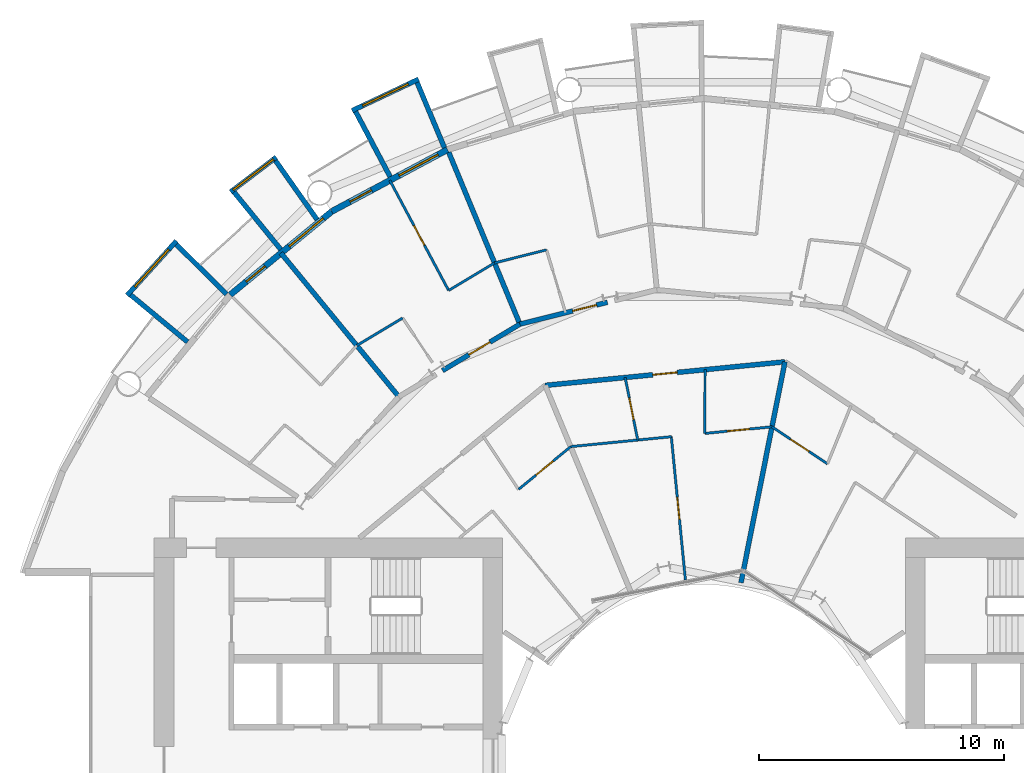
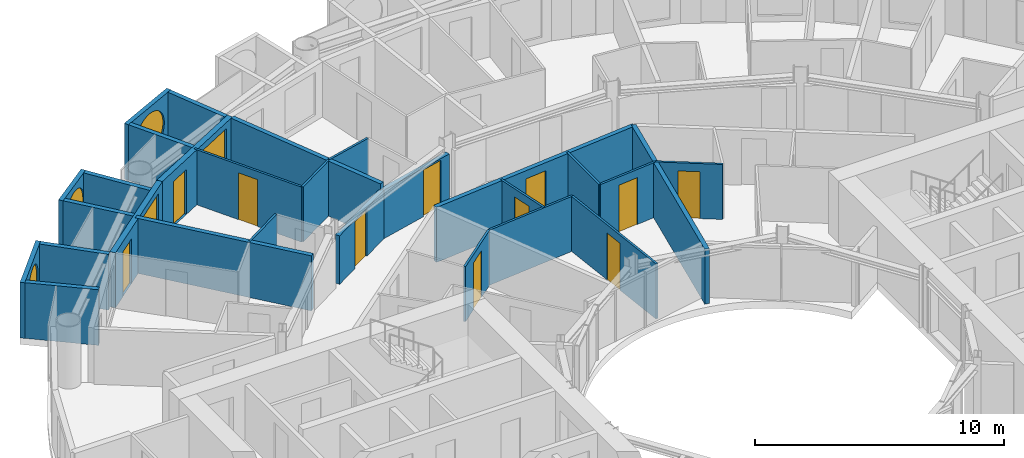
# One storey, part 19 of 26: 28 walls, 11 doors, 5 windows, 16 openings.
"""IFC4 building model written with IfcOpenShell, lengths in metres."""

from ifc_helpers import new_model, si_unit, direction, frame, frame_2d, origin, place, context, subcontext, project, spatial, rectangle, circle, extrude, material, layer, layer_set, type_object, element, fill, save


model = new_model("IFC4")

# Units and contexts
model_context = context("Model", 3, precision=1e-05, world=origin(), true_north=direction((0.0, 1.0)))
body_context = subcontext(model_context, "Body", "Model", "MODEL_VIEW")
ifc_project = project(units=[si_unit("LENGTHUNIT", "METRE"), si_unit("AREAUNIT", "SQUARE_METRE"), si_unit("VOLUMEUNIT", "CUBIC_METRE"), si_unit("PLANEANGLEUNIT", "RADIAN"), si_unit("MASSUNIT", "GRAM", prefix="KILO")], contexts=[model_context])

# Site, building, storey
site_placement = place(None, origin())
site = spatial("IfcSite", under=ifc_project, at=site_placement, CompositionType="ELEMENT")
building_placement = place(site_placement, origin())
building = spatial("IfcBuilding", under=site, at=building_placement, Name="Maasbend Ring Residences", CompositionType="ELEMENT")
storey_placement = place(building_placement, frame((0.0, 0.0, 22.800048828125)))
storey = spatial("IfcBuildingStorey", under=building, at=storey_placement, Name="L05", CompositionType="ELEMENT", Elevation=22.800048828125)

# Wall, opening, door
ifc_material_1 = material(Name="Concrete C30/37", Category="concrete")
ifc_layer_1 = layer(ifc_material_1, 0.199951171875)
ifc_layer_set_1 = layer_set([ifc_layer_1], Name="Concrete C30/37")
wall_type_1 = type_object("IfcWallType", Name="CORRIDOR WALL 200 CONCRETE", PredefinedType="PARTITIONING", material=ifc_layer_set_1)
wall_1_placement = place(storey_placement, frame((-6.467041015625, 15.614013671875, 0.0), z_axis=(0.0, 0.0, 1.0), x_axis=(0.995201860711, 0.097843019361, 0.0)))
wall_1 = element("IfcWall", 1, at=wall_1_placement, inside=storey, type_object=wall_type_1, Name="U-L05-w108", PredefinedType="PARTITIONING", context=body_context, shape_type="SweptSolid", body=[
    extrude(rectangle(XDim=9.811279296875, YDim=0.199951171875, at=frame_2d((4.90576171875, 0.0))), origin(), (0.0, 0.0, 1.0), 2.699951171875),
])
opening_1_placement = place(wall_1_placement, frame((4.405029296875, 0.0, 0.0)))
opening_1 = element("IfcOpeningElement", 2, at=opening_1_placement, cuts=wall_1, Name="Opening D-0525", PredefinedType="OPENING", context=body_context, shape_type="SweptSolid", body=[
    extrude(rectangle(XDim=1.0, YDim=2.300048828125, at=frame_2d((0.5, 1.14990234375))), frame((0.0, 0.10986328125, 0.0), z_axis=(0.0, -1.0, 0.0), x_axis=(1.0, 0.0, 0.0)), (0.0, 0.0, 1.0), 0.219970703125),
])
ifc_material_2 = material(Name="Timber, fire-rated, painted", Category="wood")
door_type_1 = type_object("IfcDoorType", Name="FLAT ENTRANCE DOOR 1000 X 2300 FIRE-RATED", OperationType="NOTDEFINED", PredefinedType="DOOR", material=ifc_material_2)
door_1_placement = place(opening_1_placement, origin())
door_1 = element("IfcDoor", 3, at=door_1_placement, inside=storey, type_object=door_type_1, Name="D-0525", OperationType="SINGLE_SWING_LEFT", OverallHeight=2.300048828125, OverallWidth=1.0, PredefinedType="DOOR", context=body_context, shape_type="SweptSolid", body=[
    extrude(rectangle(XDim=1.0, YDim=2.300048828125, at=frame_2d((0.5, 1.14990234375))), frame((0.0, 0.02490234375, 0.0), z_axis=(0.0, -1.0, 0.0), x_axis=(1.0, 0.0, 0.0)), (0.0, 0.0, 1.0), 0.050048828125),
])
fill(opening_1, door_1)

wall_2_placement = place(storey_placement, frame((-10.653076171875, 16.218017578125, 0.0), z_axis=(0.0, 0.0, 1.0), x_axis=(0.857656999296, 0.514222200569, 0.0)))
wall_2 = element("IfcWall", 4, at=wall_2_placement, inside=storey, type_object=wall_type_1, Name="U-L05-w115", PredefinedType="PARTITIONING", context=body_context, shape_type="SweptSolid", body=[
    extrude(rectangle(XDim=3.67529296875, YDim=0.199951171875, at=frame_2d((1.837646484375, 0.0))), origin(), (0.0, 0.0, 1.0), 2.3798828125),
])
opening_2_placement = place(wall_2_placement, frame((1.257080078125, 0.0, 0.0)))
opening_2 = element("IfcOpeningElement", 5, at=opening_2_placement, cuts=wall_2, Name="Opening D-0515", PredefinedType="OPENING", context=body_context, shape_type="SweptSolid", body=[
    extrude(rectangle(XDim=1.0, YDim=2.300048828125, at=frame_2d((0.5, 1.14990234375))), frame((0.0, 0.10986328125, 0.0), z_axis=(0.0, -1.0, 0.0), x_axis=(1.0, 0.0, 0.0)), (0.0, 0.0, 1.0), 0.219970703125),
])
door_2_placement = place(opening_2_placement, origin())
door_2 = element("IfcDoor", 6, at=door_2_placement, inside=storey, type_object=door_type_1, Name="D-0515", OperationType="SINGLE_SWING_LEFT", OverallHeight=2.300048828125, OverallWidth=1.0, PredefinedType="DOOR", context=body_context, shape_type="SweptSolid", body=[
    extrude(rectangle(XDim=1.0, YDim=2.300048828125, at=frame_2d((0.5, 1.14990234375))), frame((0.0, 0.02490234375, 0.0), z_axis=(0.0, -1.0, 0.0), x_axis=(1.0, 0.0, 0.0)), (0.0, 0.0, 1.0), 0.050048828125),
])
fill(opening_2, door_2)

wall_3_placement = place(storey_placement, frame((-7.5009765625, 18.10791015625, 0.0), z_axis=(0.0, 0.0, 1.0), x_axis=(0.970040840928, 0.242941900323, 0.0)))
wall_3 = element("IfcWall", 7, at=wall_3_placement, inside=storey, type_object=wall_type_1, Name="U-L05-w116", PredefinedType="PARTITIONING", context=body_context, shape_type="SweptSolid", body=[
    extrude(rectangle(XDim=3.676025390625, YDim=0.199951171875, at=frame_2d((1.837890625, 0.0))), origin(), (0.0, 0.0, 1.0), 2.3798828125),
])
opening_3_placement = place(wall_3_placement, frame((2.217041015625, 0.0, 0.0)))
opening_3 = element("IfcOpeningElement", 8, at=opening_3_placement, cuts=wall_3, Name="Opening D-0512", PredefinedType="OPENING", context=body_context, shape_type="SweptSolid", body=[
    extrude(rectangle(XDim=1.0, YDim=2.300048828125, at=frame_2d((0.5, 1.14990234375))), frame((0.0, 0.10986328125, 0.0), z_axis=(0.0, -1.0, 0.0), x_axis=(1.0, 0.0, 0.0)), (0.0, 0.0, 1.0), 0.219970703125),
])
door_3_placement = place(opening_3_placement, origin())
door_3 = element("IfcDoor", 9, at=door_3_placement, inside=storey, type_object=door_type_1, Name="D-0512", OperationType="SINGLE_SWING_RIGHT", OverallHeight=2.300048828125, OverallWidth=1.0, PredefinedType="DOOR", context=body_context, shape_type="SweptSolid", body=[
    extrude(rectangle(XDim=1.0, YDim=2.300048828125, at=frame_2d((0.5, 1.14990234375))), frame((0.0, 0.02490234375, 0.0), z_axis=(0.0, -1.0, 0.0), x_axis=(1.0, 0.0, 0.0)), (0.0, 0.0, 1.0), 0.050048828125),
])
fill(opening_3, door_3)

# Wall, opening, window
ifc_material_3 = material(Name="Pale anodised aluminium panel", Category="aluminium")
ifc_layer_2 = layer(ifc_material_3, 0.199951171875)
ifc_layer_set_2 = layer_set([ifc_layer_2], Name="EW-BOX")
wall_type_2 = type_object("IfcWallType", Name="EW-BOX", PredefinedType="SOLIDWALL", material=ifc_layer_set_2)
wall_4_placement = place(storey_placement, frame((-11.62890625, 28.087890625, -0.030029296875), z_axis=(0.0, 0.0, 1.0), x_axis=(-0.904000060331, -0.427532327342, 0.0)))
wall_4 = element("IfcWall", 10, at=wall_4_placement, inside=storey, type_object=wall_type_2, Name="Box front N15", PredefinedType="SOLIDWALL", context=body_context, shape_type="SweptSolid", body=[
    extrude(rectangle(XDim=2.993408203125, YDim=0.199951171875, at=frame_2d((1.49658203125, 0.0))), origin(), (0.0, 0.0, 1.0), 2.72998046875),
])
opening_4_placement = place(wall_4_placement, frame((0.45654296875, 0.0, 0.330078125)))
opening_4 = element("IfcOpeningElement", 11, at=opening_4_placement, cuts=wall_4, Name="Opening W-RD", PredefinedType="OPENING", context=body_context, shape_type="SweptSolid", body=[
    extrude(circle(Radius=1.0400390625, at=frame_2d((1.0400390625, 1.0400390625))), frame((0.0, 0.10986328125, 0.0), z_axis=(0.0, -1.0, 0.0), x_axis=(1.0, 0.0, 0.0)), (0.0, 0.0, 1.0), 0.219970703125),
])
ifc_material_4 = material(Name="Aluminium and clear glass", Category="aluminium")
window_type_1 = type_object("IfcWindowType", Name="W-RD", PartitioningType="SINGLE_PANEL", PredefinedType="WINDOW", material=ifc_material_4)
window_1_placement = place(opening_4_placement, origin())
window_1 = element("IfcWindow", 12, at=window_1_placement, inside=storey, type_object=window_type_1, Name="Round window N15", OverallHeight=2.080078125, OverallWidth=2.080078125, PartitioningType="SINGLE_PANEL", PredefinedType="WINDOW", context=body_context, shape_type="SweptSolid", body=[
    extrude(circle(Radius=1.0400390625, at=frame_2d((1.0400390625, 1.0400390625))), frame((0.0, 0.030029296875, 0.0), z_axis=(0.0, -1.0, 0.0), x_axis=(1.0, 0.0, 0.0)), (0.0, 0.0, 1.0), 0.06005859375),
])
fill(opening_4, window_1)

# Walls
wall_5_placement = place(storey_placement, frame((-10.574951171875, 25.294921875, -0.030029296875), z_axis=(0.0, 0.0, 1.0), x_axis=(-0.385697364644, 0.922625353492, 0.0)))
element("IfcWall", 13, at=wall_5_placement, inside=storey, type_object=wall_type_2, Name="Box side wall N15 left", PredefinedType="SOLIDWALL", context=body_context, shape_type="SweptSolid", body=[
    extrude(rectangle(XDim=2.88330078125, YDim=0.199951171875, at=frame_2d((1.441650390625, 0.0))), origin(), (0.0, 0.0, 1.0), 2.72998046875),
])
wall_6_placement = place(storey_placement, frame((-12.787109375, 24.113037109375, -0.030029296875), z_axis=(0.0, 0.0, 1.0), x_axis=(-0.468365282436, 0.883534924159, 0.0)))
element("IfcWall", 14, at=wall_6_placement, inside=storey, type_object=wall_type_2, Name="Box side wall N15 right", PredefinedType="SOLIDWALL", context=body_context, shape_type="SweptSolid", body=[
    extrude(rectangle(XDim=3.006103515625, YDim=0.199951171875, at=frame_2d((1.5029296875, 0.0))), origin(), (0.0, 0.0, 1.0), 2.72998046875),
])

# Wall, opening, window
wall_7_placement = place(storey_placement, frame((-17.427001953125, 24.908935546875, -0.030029296875), z_axis=(0.0, 0.0, 1.0), x_axis=(-0.796842165306, -0.60418752353, 0.0)))
wall_7 = element("IfcWall", 15, at=wall_7_placement, inside=storey, type_object=wall_type_2, Name="Box front N17", PredefinedType="SOLIDWALL", context=body_context, shape_type="SweptSolid", body=[
    extrude(rectangle(XDim=2.3369140625, YDim=0.199951171875, at=frame_2d((1.16845703125, 0.0))), origin(), (0.0, 0.0, 1.0), 2.72998046875),
])
opening_5_placement = place(wall_7_placement, frame((0.128173828125, 0.0, 0.330078125)))
opening_5 = element("IfcOpeningElement", 16, at=opening_5_placement, cuts=wall_7, Name="Opening W-RD", PredefinedType="OPENING", context=body_context, shape_type="SweptSolid", body=[
    extrude(circle(Radius=1.0400390625, at=frame_2d((1.0400390625, 1.0400390625))), frame((0.0, 0.10986328125, 0.0), z_axis=(0.0, -1.0, 0.0), x_axis=(1.0, 0.0, 0.0)), (0.0, 0.0, 1.0), 0.219970703125),
])
window_2_placement = place(opening_5_placement, origin())
window_2 = element("IfcWindow", 17, at=window_2_placement, inside=storey, type_object=window_type_1, Name="Round window N17", OverallHeight=2.080078125, OverallWidth=2.080078125, PartitioningType="SINGLE_PANEL", PredefinedType="WINDOW", context=body_context, shape_type="SweptSolid", body=[
    extrude(circle(Radius=1.0400390625, at=frame_2d((1.0400390625, 1.0400390625))), frame((0.0, 0.030029296875, 0.0), z_axis=(0.0, -1.0, 0.0), x_axis=(1.0, 0.0, 0.0)), (0.0, 0.0, 1.0), 0.06005859375),
])
fill(opening_5, window_2)

# Walls
wall_8_placement = place(storey_placement, frame((-15.764892578125, 22.3701171875, -0.030029296875), z_axis=(0.0, 0.0, 1.0), x_axis=(-0.576274612209, 0.817256123454, 0.0)))
element("IfcWall", 18, at=wall_8_placement, inside=storey, type_object=wall_type_2, Name="Box side wall N17 left", PredefinedType="SOLIDWALL", context=body_context, shape_type="SweptSolid", body=[
    extrude(rectangle(XDim=2.932861328125, YDim=0.199951171875, at=frame_2d((1.46630859375, 0.0))), origin(), (0.0, 0.0, 1.0), 2.72998046875),
])
wall_9_placement = place(storey_placement, frame((-17.24609375, 21.155029296875, -0.030029296875), z_axis=(0.0, 0.0, 1.0), x_axis=(-0.631741648902, 0.775179004516, 0.0)))
element("IfcWall", 19, at=wall_9_placement, inside=storey, type_object=wall_type_2, Name="Box side wall N17 right", PredefinedType="SOLIDWALL", context=body_context, shape_type="SweptSolid", body=[
    extrude(rectangle(XDim=3.005859375, YDim=0.199951171875, at=frame_2d((1.5029296875, 0.0))), origin(), (0.0, 0.0, 1.0), 2.72998046875),
])

# Wall, opening, window
wall_10_placement = place(storey_placement, frame((-21.492919921875, 21.5, -0.030029296875), z_axis=(0.0, 0.0, 1.0), x_axis=(-0.671506829416, -0.740998365753, 0.0)))
wall_10 = element("IfcWall", 20, at=wall_10_placement, inside=storey, type_object=wall_type_2, Name="Box front N19", PredefinedType="SOLIDWALL", context=body_context, shape_type="SweptSolid", body=[
    extrude(rectangle(XDim=2.9931640625, YDim=0.199951171875, at=frame_2d((1.49658203125, 0.0))), origin(), (0.0, 0.0, 1.0), 2.72998046875),
])
opening_6_placement = place(wall_10_placement, frame((0.45654296875, 0.0, 0.330078125)))
opening_6 = element("IfcOpeningElement", 21, at=opening_6_placement, cuts=wall_10, Name="Opening W-RD", PredefinedType="OPENING", context=body_context, shape_type="SweptSolid", body=[
    extrude(circle(Radius=1.0400390625, at=frame_2d((1.0400390625, 1.0400390625))), frame((0.0, 0.10986328125, 0.0), z_axis=(0.0, -1.0, 0.0), x_axis=(1.0, 0.0, 0.0)), (0.0, 0.0, 1.0), 0.219970703125),
])
window_3_placement = place(opening_6_placement, origin())
window_3 = element("IfcWindow", 22, at=window_3_placement, inside=storey, type_object=window_type_1, Name="Round window N19", OverallHeight=2.080078125, OverallWidth=2.080078125, PartitioningType="SINGLE_PANEL", PredefinedType="WINDOW", context=body_context, shape_type="SweptSolid", body=[
    extrude(circle(Radius=1.0400390625, at=frame_2d((1.0400390625, 1.0400390625))), frame((0.0, 0.030029296875, 0.0), z_axis=(0.0, -1.0, 0.0), x_axis=(1.0, 0.0, 0.0)), (0.0, 0.0, 1.0), 0.06005859375),
])
fill(opening_6, window_3)

# Walls
wall_11_placement = place(storey_placement, frame((-19.449951171875, 19.322998046875, -0.030029296875), z_axis=(0.0, 0.0, 1.0), x_axis=(-0.709727076896, 0.704476739375, 0.0)))
element("IfcWall", 23, at=wall_11_placement, inside=storey, type_object=wall_type_2, Name="Box side wall N19 left", PredefinedType="SOLIDWALL", context=body_context, shape_type="SweptSolid", body=[
    extrude(rectangle(XDim=2.883056640625, YDim=0.199951171875, at=frame_2d((1.44140625, 0.0))), origin(), (0.0, 0.0, 1.0), 2.72998046875),
])
wall_12_placement = place(storey_placement, frame((-21.041015625, 17.384033203125, -0.030029296875), z_axis=(0.0, 0.0, 1.0), x_axis=(-0.770784861449, 0.63709551667, 0.0)))
element("IfcWall", 24, at=wall_12_placement, inside=storey, type_object=wall_type_2, Name="Box side wall N19 right", PredefinedType="SOLIDWALL", context=body_context, shape_type="SweptSolid", body=[
    extrude(rectangle(XDim=3.005859375, YDim=0.199951171875, at=frame_2d((1.5029296875, 0.0))), origin(), (0.0, 0.0, 1.0), 2.72998046875),
])

# Wall, openings, door, window
ifc_material_5 = material(Name="Aluminium clad insulated panel", Category="aluminium")
ifc_layer_3 = layer(ifc_material_5, 0.25)
ifc_layer_set_3 = layer_set([ifc_layer_3], Name="EW-GL")
wall_type_3 = type_object("IfcWallType", Name="EW-GL", PredefinedType="SOLIDWALL", material=ifc_layer_set_3)
wall_13_placement = place(storey_placement, frame((-10.447021484375, 25.221923828125, 0.0), z_axis=(0.0, 0.0, 1.0), x_axis=(-0.881915646801, -0.471407246368, 0.0)))
wall_13 = element("IfcWall", 25, at=wall_13_placement, inside=storey, type_object=wall_type_3, Name="External wall N08", PredefinedType="SOLIDWALL", context=body_context, shape_type="SweptSolid", body=[
    extrude(rectangle(XDim=5.35205078125, YDim=0.25, at=frame_2d((2.676025390625, 0.0))), origin(), (0.0, 0.0, 1.0), 2.699951171875),
])
opening_7_placement = place(wall_13_placement, frame((0.441162109375, 0.0, 0.300048828125)))
opening_7 = element("IfcOpeningElement", 26, at=opening_7_placement, cuts=wall_13, Name="Opening W-BX", PredefinedType="OPENING", context=body_context, shape_type="SweptSolid", body=[
    extrude(rectangle(XDim=1.800048828125, YDim=2.10009765625, at=frame_2d((0.89990234375, 1.050048828125))), frame((0.0, 0.135009765625, 0.0), z_axis=(0.0, -1.0, 0.0), x_axis=(1.0, 0.0, 0.0)), (0.0, 0.0, 1.0), 0.27001953125),
])
opening_8_placement = place(wall_13_placement, frame((3.510498046875, 0.0, 0.0)))
opening_8 = element("IfcOpeningElement", 27, at=opening_8_placement, cuts=wall_13, Name="Opening D-LG", PredefinedType="OPENING", context=body_context, shape_type="SweptSolid", body=[
    extrude(rectangle(XDim=1.0, YDim=2.199951171875, at=frame_2d((0.5, 1.10009765625))), frame((0.0, 0.135009765625, 0.0), z_axis=(0.0, -1.0, 0.0), x_axis=(1.0, 0.0, 0.0)), (0.0, 0.0, 1.0), 0.27001953125),
])
ifc_material_6 = material(Name="Aluminium and clear glass", Category="aluminium")
door_type_2 = type_object("IfcDoorType", Name="D-LG", OperationType="SINGLE_SWING_LEFT", PredefinedType="DOOR", material=ifc_material_6)
door_4_placement = place(opening_8_placement, origin())
door_4 = element("IfcDoor", 28, at=door_4_placement, inside=storey, type_object=door_type_2, Name="Loggia door N16", OperationType="SINGLE_SWING_LEFT", OverallHeight=2.199951171875, OverallWidth=1.0, PredefinedType="DOOR", context=body_context, shape_type="SweptSolid", body=[
    extrude(rectangle(XDim=1.0, YDim=2.199951171875, at=frame_2d((0.5, 1.10009765625))), frame((0.0, 0.02490234375, 0.0), z_axis=(0.0, -1.0, 0.0), x_axis=(1.0, 0.0, 0.0)), (0.0, 0.0, 1.0), 0.050048828125),
])
fill(opening_8, door_4)
ifc_material_7 = material(Name="Aluminium and clear glass", Category="aluminium")
window_type_2 = type_object("IfcWindowType", Name="W-BX", PartitioningType="DOUBLE_PANEL_VERTICAL", PredefinedType="WINDOW", material=ifc_material_7)
window_4_placement = place(opening_7_placement, origin())
window_4 = element("IfcWindow", 29, at=window_4_placement, inside=storey, type_object=window_type_2, Name="Window N15 room to box", OverallHeight=2.10009765625, OverallWidth=1.800048828125, PartitioningType="SINGLE_PANEL", PredefinedType="WINDOW", context=body_context, shape_type="SweptSolid", body=[
    extrude(rectangle(XDim=1.800048828125, YDim=2.10009765625, at=frame_2d((0.89990234375, 1.050048828125))), frame((0.0, 0.030029296875, 0.0), z_axis=(0.0, -1.0, 0.0), x_axis=(1.0, 0.0, 0.0)), (0.0, 0.0, 1.0), 0.06005859375),
])
fill(opening_7, window_4)

wall_14_placement = place(storey_placement, frame((-15.1669921875, 22.698974609375, 0.0), z_axis=(0.0, 0.0, 1.0), x_axis=(-0.773019449054, -0.634382322723, 0.0)))
wall_14 = element("IfcWall", 30, at=wall_14_placement, inside=storey, type_object=wall_type_3, Name="External wall N09", PredefinedType="SOLIDWALL", context=body_context, shape_type="SweptSolid", body=[
    extrude(rectangle(XDim=5.351806640625, YDim=0.25, at=frame_2d((2.67578125, 0.0))), origin(), (0.0, 0.0, 1.0), 2.699951171875),
])
opening_9_placement = place(wall_14_placement, frame((0.441162109375, 0.0, 0.300048828125)))
opening_9 = element("IfcOpeningElement", 31, at=opening_9_placement, cuts=wall_14, Name="Opening W-BX", PredefinedType="OPENING", context=body_context, shape_type="SweptSolid", body=[
    extrude(rectangle(XDim=1.800048828125, YDim=2.10009765625, at=frame_2d((0.89990234375, 1.050048828125))), frame((0.0, 0.135009765625, 0.0), z_axis=(0.0, -1.0, 0.0), x_axis=(1.0, 0.0, 0.0)), (0.0, 0.0, 1.0), 0.27001953125),
])
opening_10_placement = place(wall_14_placement, frame((3.510498046875, 0.0, 0.0)))
opening_10 = element("IfcOpeningElement", 32, at=opening_10_placement, cuts=wall_14, Name="Opening D-LG", PredefinedType="OPENING", context=body_context, shape_type="SweptSolid", body=[
    extrude(rectangle(XDim=1.0, YDim=2.199951171875, at=frame_2d((0.5, 1.10009765625))), frame((0.0, 0.135009765625, 0.0), z_axis=(0.0, -1.0, 0.0), x_axis=(1.0, 0.0, 0.0)), (0.0, 0.0, 1.0), 0.27001953125),
])
door_5_placement = place(opening_10_placement, origin())
door_5 = element("IfcDoor", 33, at=door_5_placement, inside=storey, type_object=door_type_2, Name="Loggia door N18", OperationType="SINGLE_SWING_LEFT", OverallHeight=2.199951171875, OverallWidth=1.0, PredefinedType="DOOR", context=body_context, shape_type="SweptSolid", body=[
    extrude(rectangle(XDim=1.0, YDim=2.199951171875, at=frame_2d((0.5, 1.10009765625))), frame((0.0, 0.02490234375, 0.0), z_axis=(0.0, -1.0, 0.0), x_axis=(1.0, 0.0, 0.0)), (0.0, 0.0, 1.0), 0.050048828125),
])
fill(opening_10, door_5)
window_5_placement = place(opening_9_placement, origin())
window_5 = element("IfcWindow", 34, at=window_5_placement, inside=storey, type_object=window_type_2, Name="Window N17 room to box", OverallHeight=2.10009765625, OverallWidth=1.800048828125, PartitioningType="SINGLE_PANEL", PredefinedType="WINDOW", context=body_context, shape_type="SweptSolid", body=[
    extrude(rectangle(XDim=1.800048828125, YDim=2.10009765625, at=frame_2d((0.89990234375, 1.050048828125))), frame((0.0, 0.030029296875, 0.0), z_axis=(0.0, -1.0, 0.0), x_axis=(1.0, 0.0, 0.0)), (0.0, 0.0, 1.0), 0.06005859375),
])
fill(opening_9, window_5)

# Wall, opening, door
ifc_material_8 = material(Name="Gypsum board on steel studs", Category="steel")
ifc_layer_4 = layer(ifc_material_8, 0.10009765625)
ifc_layer_set_4 = layer_set([ifc_layer_4], Name="PARTITION 100 GYPSUM")
wall_type_4 = type_object("IfcWallType", Name="PARTITION 100 GYPSUM", PredefinedType="PARTITIONING", material=ifc_layer_set_4)
wall_15_placement = place(storey_placement, frame((-12.802978515625, 23.969970703125, 0.0), z_axis=(0.0, 0.0, 1.0), x_axis=(0.471170755767, -0.882042016522, 0.0)))
wall_15 = element("IfcWall", 35, at=wall_15_placement, inside=storey, type_object=wall_type_4, Name="U-L05-w043", PredefinedType="PARTITIONING", context=body_context, shape_type="SweptSolid", body=[
    extrude(rectangle(XDim=5.08935546875, YDim=0.10009765625, at=frame_2d((2.544677734375, 0.0))), origin(), (0.0, 0.0, 1.0), 2.699951171875),
])
opening_11_placement = place(wall_15_placement, frame((2.094970703125, 0.0, 0.0)))
opening_11 = element("IfcOpeningElement", 36, at=opening_11_placement, cuts=wall_15, Name="Opening D-0517", PredefinedType="OPENING", context=body_context, shape_type="SweptSolid", body=[
    extrude(rectangle(XDim=0.89990234375, YDim=2.300048828125, at=frame_2d((0.449951171875, 1.14990234375))), frame((0.0, 0.06005859375, 0.0), z_axis=(0.0, -1.0, 0.0), x_axis=(1.0, 0.0, 0.0)), (0.0, 0.0, 1.0), 0.1201171875),
])
ifc_material_9 = material(Name="Timber, painted", Category="wood")
door_type_3 = type_object("IfcDoorType", Name="INTERNAL DOOR 900 X 2300", OperationType="NOTDEFINED", PredefinedType="DOOR", material=ifc_material_9)
door_6_placement = place(opening_11_placement, origin())
door_6 = element("IfcDoor", 37, at=door_6_placement, inside=storey, type_object=door_type_3, Name="D-0517", OperationType="SINGLE_SWING_RIGHT", OverallHeight=2.300048828125, OverallWidth=0.89990234375, PredefinedType="DOOR", context=body_context, shape_type="SweptSolid", body=[
    extrude(rectangle(XDim=0.89990234375, YDim=2.300048828125, at=frame_2d((0.449951171875, 1.14990234375))), frame((0.0, 0.02490234375, 0.0), z_axis=(0.0, -1.0, 0.0), x_axis=(1.0, 0.0, 0.0)), (0.0, 0.0, 1.0), 0.050048828125),
])
fill(opening_11, door_6)

wall_16_placement = place(storey_placement, frame((-3.212890625, 15.93408203125, 0.0), z_axis=(0.0, 0.0, 1.0), x_axis=(0.197851046463, -0.980232096706, 0.0)))
wall_16 = element("IfcWall", 38, at=wall_16_placement, inside=storey, type_object=wall_type_4, Name="U-L05-w059", PredefinedType="PARTITIONING", context=body_context, shape_type="SweptSolid", body=[
    extrude(rectangle(XDim=2.597412109375, YDim=0.10009765625, at=frame_2d((1.298828125, 0.0))), origin(), (0.0, 0.0, 1.0), 2.699951171875),
])
opening_12_placement = place(wall_16_placement, frame((0.84912109375, 0.0, 0.0)))
opening_12 = element("IfcOpeningElement", 39, at=opening_12_placement, cuts=wall_16, Name="Opening D-0527", PredefinedType="OPENING", context=body_context, shape_type="SweptSolid", body=[
    extrude(rectangle(XDim=0.89990234375, YDim=2.300048828125, at=frame_2d((0.449951171875, 1.14990234375))), frame((0.0, 0.06005859375, 0.0), z_axis=(0.0, -1.0, 0.0), x_axis=(1.0, 0.0, 0.0)), (0.0, 0.0, 1.0), 0.1201171875),
])
door_7_placement = place(opening_12_placement, origin())
door_7 = element("IfcDoor", 40, at=door_7_placement, inside=storey, type_object=door_type_3, Name="D-0527", OperationType="SINGLE_SWING_RIGHT", OverallHeight=2.300048828125, OverallWidth=0.89990234375, PredefinedType="DOOR", context=body_context, shape_type="SweptSolid", body=[
    extrude(rectangle(XDim=0.89990234375, YDim=2.300048828125, at=frame_2d((0.449951171875, 1.14990234375))), frame((0.0, 0.02490234375, 0.0), z_axis=(0.0, -1.0, 0.0), x_axis=(1.0, 0.0, 0.0)), (0.0, 0.0, 1.0), 0.050048828125),
])
fill(opening_12, door_7)

wall_17_placement = place(storey_placement, frame((-1.33203125, 13.52294921875, 0.0), z_axis=(0.0, 0.0, 1.0), x_axis=(0.097979463572, -0.995188436789, 0.0)))
wall_17 = element("IfcWall", 41, at=wall_17_placement, inside=storey, type_object=wall_type_4, Name="U-L05-w063", PredefinedType="PARTITIONING", context=body_context, shape_type="SweptSolid", body=[
    extrude(rectangle(XDim=5.8681640625, YDim=0.10009765625, at=frame_2d((2.93408203125, 0.0))), origin(), (0.0, 0.0, 1.0), 2.699951171875),
])
opening_13_placement = place(wall_17_placement, frame((2.48388671875, 0.0, 0.0)))
opening_13 = element("IfcOpeningElement", 42, at=opening_13_placement, cuts=wall_17, Name="Opening D-0528", PredefinedType="OPENING", context=body_context, shape_type="SweptSolid", body=[
    extrude(rectangle(XDim=0.89990234375, YDim=2.300048828125, at=frame_2d((0.449951171875, 1.14990234375))), frame((0.0, 0.06005859375, 0.0), z_axis=(0.0, -1.0, 0.0), x_axis=(1.0, 0.0, 0.0)), (0.0, 0.0, 1.0), 0.1201171875),
])
door_8_placement = place(opening_13_placement, origin())
door_8 = element("IfcDoor", 43, at=door_8_placement, inside=storey, type_object=door_type_3, Name="D-0528", OperationType="SINGLE_SWING_RIGHT", OverallHeight=2.300048828125, OverallWidth=0.89990234375, PredefinedType="DOOR", context=body_context, shape_type="SweptSolid", body=[
    extrude(rectangle(XDim=0.89990234375, YDim=2.300048828125, at=frame_2d((0.449951171875, 1.14990234375))), frame((0.0, 0.02490234375, 0.0), z_axis=(0.0, -1.0, 0.0), x_axis=(1.0, 0.0, 0.0)), (0.0, 0.0, 1.0), 0.050048828125),
])
fill(opening_13, door_8)

# Wall
wall_18_placement = place(storey_placement, frame((0.034912109375, 13.657958984375, 0.0), z_axis=(0.0, 0.0, 1.0), x_axis=(0.00272632248, 0.999996283576, 0.0)))
element("IfcWall", 44, at=wall_18_placement, inside=storey, type_object=wall_type_4, Name="U-L05-w066", PredefinedType="PARTITIONING", context=body_context, shape_type="SweptSolid", body=[
    extrude(rectangle(XDim=2.596923828125, YDim=0.10009765625, at=frame_2d((1.29833984375, 0.0))), origin(), (0.0, 0.0, 1.0), 2.699951171875),
])

# Wall, opening, door
wall_19_placement = place(storey_placement, frame((2.77099609375, 13.926025390625, 0.0), z_axis=(0.0, 0.0, 1.0), x_axis=(0.831538390496, -0.555467285384, 0.0)))
wall_19 = element("IfcWall", 45, at=wall_19_placement, inside=storey, type_object=wall_type_4, Name="U-L05-w100", PredefinedType="PARTITIONING", context=body_context, shape_type="SweptSolid", body=[
    extrude(rectangle(XDim=2.716796875, YDim=0.10009765625, at=frame_2d((1.3583984375, 0.0))), origin(), (0.0, 0.0, 1.0), 2.699951171875),
])
opening_14_placement = place(wall_19_placement, frame((0.906982421875, 0.0, 0.0)))
opening_14 = element("IfcOpeningElement", 46, at=opening_14_placement, cuts=wall_19, Name="Opening D-0522", PredefinedType="OPENING", context=body_context, shape_type="SweptSolid", body=[
    extrude(rectangle(XDim=0.89990234375, YDim=2.300048828125, at=frame_2d((0.449951171875, 1.14990234375))), frame((0.0, 0.06005859375, 0.0), z_axis=(0.0, -1.0, 0.0), x_axis=(1.0, 0.0, 0.0)), (0.0, 0.0, 1.0), 0.1201171875),
])
door_9_placement = place(opening_14_placement, origin())
door_9 = element("IfcDoor", 47, at=door_9_placement, inside=storey, type_object=door_type_3, Name="D-0522", OperationType="SINGLE_SWING_LEFT", OverallHeight=2.300048828125, OverallWidth=0.89990234375, PredefinedType="DOOR", context=body_context, shape_type="SweptSolid", body=[
    extrude(rectangle(XDim=0.89990234375, YDim=2.300048828125, at=frame_2d((0.449951171875, 1.14990234375))), frame((0.0, 0.02490234375, 0.0), z_axis=(0.0, -1.0, 0.0), x_axis=(1.0, 0.0, 0.0)), (0.0, 0.0, 1.0), 0.050048828125),
])
fill(opening_14, door_9)

wall_20_placement = place(storey_placement, frame((-7.552001953125, 11.37890625, 0.0), z_axis=(0.0, 0.0, 1.0), x_axis=(0.773323547924, 0.634011585246, 0.0)))
wall_20 = element("IfcWall", 48, at=wall_20_placement, inside=storey, type_object=wall_type_4, Name="U-L05-w103", PredefinedType="PARTITIONING", context=body_context, shape_type="SweptSolid", body=[
    extrude(rectangle(XDim=2.747802734375, YDim=0.10009765625, at=frame_2d((1.3740234375, 0.0))), origin(), (0.0, 0.0, 1.0), 2.699951171875),
])
opening_15_placement = place(wall_20_placement, frame((0.9169921875, 0.0, 0.0)))
opening_15 = element("IfcOpeningElement", 49, at=opening_15_placement, cuts=wall_20, Name="Opening D-0530", PredefinedType="OPENING", context=body_context, shape_type="SweptSolid", body=[
    extrude(rectangle(XDim=0.89990234375, YDim=2.300048828125, at=frame_2d((0.449951171875, 1.14990234375))), frame((0.0, 0.06005859375, 0.0), z_axis=(0.0, -1.0, 0.0), x_axis=(1.0, 0.0, 0.0)), (0.0, 0.0, 1.0), 0.1201171875),
])
door_10_placement = place(opening_15_placement, origin())
door_10 = element("IfcDoor", 50, at=door_10_placement, inside=storey, type_object=door_type_3, Name="D-0530", OperationType="SINGLE_SWING_LEFT", OverallHeight=2.300048828125, OverallWidth=0.89990234375, PredefinedType="DOOR", context=body_context, shape_type="SweptSolid", body=[
    extrude(rectangle(XDim=0.89990234375, YDim=2.300048828125, at=frame_2d((0.449951171875, 1.14990234375))), frame((0.0, 0.02490234375, 0.0), z_axis=(0.0, -1.0, 0.0), x_axis=(1.0, 0.0, 0.0)), (0.0, 0.0, 1.0), 0.050048828125),
])
fill(opening_15, door_10)

# Wall
wall_21_placement = place(storey_placement, frame((-5.43408203125, 13.118896484375, 0.0), z_axis=(0.0, 0.0, 1.0), x_axis=(0.995195804672, 0.097904598272, 0.0)))
element("IfcWall", 51, at=wall_21_placement, inside=storey, type_object=wall_type_4, Name="U-L05-w104", PredefinedType="PARTITIONING", context=body_context, shape_type="SweptSolid", body=[
    extrude(rectangle(XDim=4.126953125, YDim=0.10009765625, at=frame_2d((2.0634765625, 0.0))), origin(), (0.0, 0.0, 1.0), 2.699951171875),
])

# Wall, opening, door
wall_22_placement = place(storey_placement, frame((0.034912109375, 13.656982421875, 0.0), z_axis=(0.0, 0.0, 1.0), x_axis=(0.995196843386, 0.097894039223, 0.0)))
wall_22 = element("IfcWall", 52, at=wall_22_placement, inside=storey, type_object=wall_type_4, Name="U-L05-w105", PredefinedType="PARTITIONING", context=body_context, shape_type="SweptSolid", body=[
    extrude(rectangle(XDim=2.748291015625, YDim=0.10009765625, at=frame_2d((1.3740234375, 0.0))), origin(), (0.0, 0.0, 1.0), 2.699951171875),
])
opening_16_placement = place(wall_22_placement, frame((0.924072265625, 0.0, 0.0)))
opening_16 = element("IfcOpeningElement", 53, at=opening_16_placement, cuts=wall_22, Name="Opening D-0526", PredefinedType="OPENING", context=body_context, shape_type="SweptSolid", body=[
    extrude(rectangle(XDim=0.89990234375, YDim=2.300048828125, at=frame_2d((0.449951171875, 1.14990234375))), frame((0.0, 0.06005859375, 0.0), z_axis=(0.0, -1.0, 0.0), x_axis=(1.0, 0.0, 0.0)), (0.0, 0.0, 1.0), 0.1201171875),
])
door_11_placement = place(opening_16_placement, origin())
door_11 = element("IfcDoor", 54, at=door_11_placement, inside=storey, type_object=door_type_3, Name="D-0526", OperationType="SINGLE_SWING_RIGHT", OverallHeight=2.300048828125, OverallWidth=0.89990234375, PredefinedType="DOOR", context=body_context, shape_type="SweptSolid", body=[
    extrude(rectangle(XDim=0.89990234375, YDim=2.300048828125, at=frame_2d((0.449951171875, 1.14990234375))), frame((0.0, 0.02490234375, 0.0), z_axis=(0.0, -1.0, 0.0), x_axis=(1.0, 0.0, 0.0)), (0.0, 0.0, 1.0), 0.050048828125),
])
fill(opening_16, door_11)

# Walls
for number, where, z_axis, x_axis, name in (
    (55, (-14.14697265625, 17.237060546875, 0.0), (0.0, 0.0, 1.0), (0.857660741648, 0.514215958752, 0.0), "U-L05-w127"),
    (56, (-10.405029296875, 19.48095703125, 0.0), (0.0, 0.0, 1.0), (0.857611386679, 0.514298268943, 0.0), "U-L05-w128"),
):
    element("IfcWall", number, at=place(storey_placement, frame(where, z_axis=z_axis, x_axis=x_axis)), inside=storey, type_object=wall_type_4, Name=name, PredefinedType="PARTITIONING", context=body_context, shape_type="SweptSolid", body=[
        extrude(rectangle(XDim=2.181640625, YDim=0.10009765625, at=frame_2d((1.0908203125, 0.0))), origin(), (0.0, 0.0, 1.0), 2.699951171875),
    ])
wall_23_placement = place(storey_placement, frame((-8.534912109375, 20.60302734375, 0.0), z_axis=(0.0, 0.0, 1.0), x_axis=(0.97003047456, 0.242983288366, 0.0)))
element("IfcWall", 57, at=wall_23_placement, inside=storey, type_object=wall_type_4, Name="U-L05-w129", PredefinedType="PARTITIONING", context=body_context, shape_type="SweptSolid", body=[
    extrude(rectangle(XDim=2.181396484375, YDim=0.10009765625, at=frame_2d((1.0908203125, 0.0))), origin(), (0.0, 0.0, 1.0), 2.699951171875),
])
ifc_material_10 = material(Name="Concrete C30/37", Category="concrete")
ifc_layer_5 = layer(ifc_material_10, 0.199951171875)
ifc_layer_set_5 = layer_set([ifc_layer_5], Name="Concrete C30/37")
wall_type_5 = type_object("IfcWallType", Name="PARTY WALL 200 CONCRETE", PredefinedType="PARTITIONING", material=ifc_layer_set_5)
wall_24_placement = place(storey_placement, frame((-17.239013671875, 21.008056640625, 0.0), z_axis=(0.0, 0.0, 1.0), x_axis=(0.634318093068, -0.773072154981, 0.0)))
element("IfcWall", 58, at=wall_24_placement, inside=storey, type_object=wall_type_5, Name="U-L05-w037", PredefinedType="PARTITIONING", context=body_context, shape_type="SweptSolid", body=[
    extrude(rectangle(XDim=7.576416015625, YDim=0.199951171875, at=frame_2d((3.7880859375, 0.0))), origin(), (0.0, 0.0, 1.0), 2.699951171875),
])
wall_25_placement = place(storey_placement, frame((-10.39794921875, 25.10595703125, 0.0), z_axis=(0.0, 0.0, 1.0), x_axis=(0.382490346157, -0.923959487801, 0.0)))
element("IfcWall", 59, at=wall_25_placement, inside=storey, type_object=wall_type_5, Name="U-L05-w048", PredefinedType="PARTITIONING", context=body_context, shape_type="SweptSolid", body=[
    extrude(rectangle(XDim=7.573974609375, YDim=0.199951171875, at=frame_2d((3.787109375, 0.0))), origin(), (0.0, 0.0, 1.0), 2.699951171875),
])
wall_26_placement = place(storey_placement, frame((1.506103515625, 7.572021484375, 0.0), z_axis=(0.0, 0.0, 1.0), x_axis=(0.19511354088, 0.980780661598, 0.0)))
element("IfcWall", 60, at=wall_26_placement, inside=storey, type_object=wall_type_5, Name="U-L05-w069", PredefinedType="PARTITIONING", context=body_context, shape_type="SweptSolid", body=[
    extrude(rectangle(XDim=9.179443359375, YDim=0.199951171875, at=frame_2d((4.58984375, 0.0))), origin(), (0.0, 0.0, 1.0), 2.699951171875),
])

save(model, "model.ifc")
